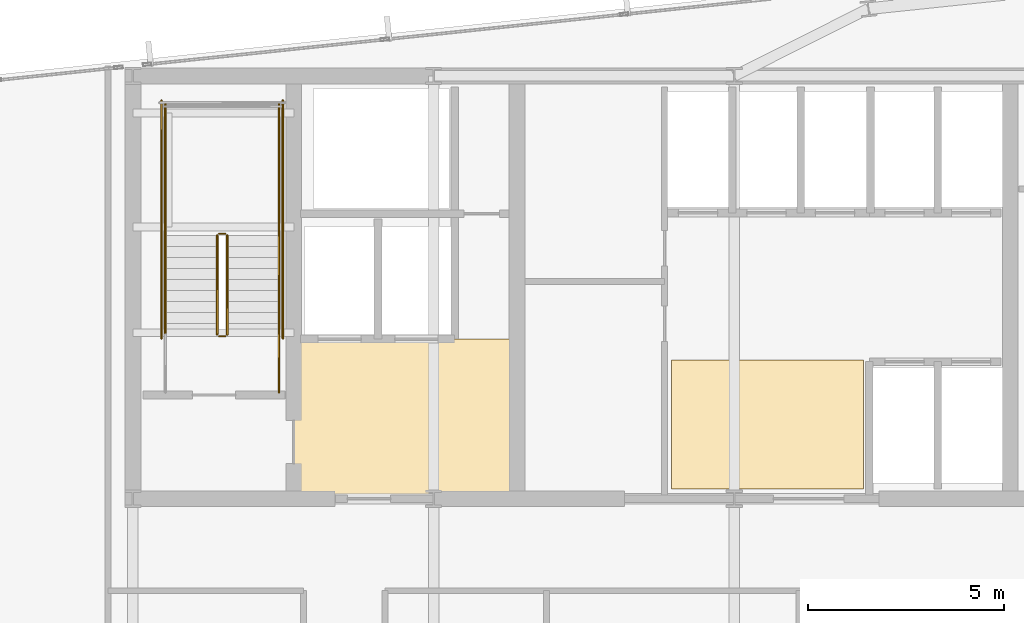
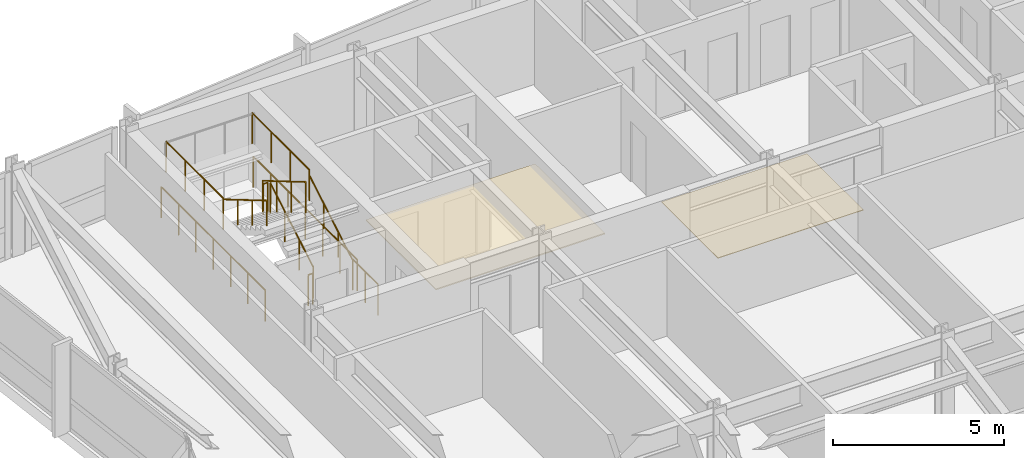
# One storey, part 24 of 26: 11 railings, 2 coverings.
"""IFC4 building model written with IfcOpenShell, lengths in metres."""

from ifc_helpers import new_model, si_unit, direction, frame, origin, origin_2d, place, context, subcontext, project, spatial, polyline, circle, outline, extrude, material, layer, layer_set, type_object, element, save


model = new_model("IFC4")

# Units and contexts
model_context = context("Model", 3, precision=1e-05, world=origin(), true_north=direction((0.0, 1.0)))
body_context = subcontext(model_context, "Body", "Model", "MODEL_VIEW")
ifc_project = project(units=[si_unit("LENGTHUNIT", "METRE"), si_unit("AREAUNIT", "SQUARE_METRE"), si_unit("VOLUMEUNIT", "CUBIC_METRE"), si_unit("PLANEANGLEUNIT", "RADIAN"), si_unit("MASSUNIT", "GRAM", prefix="KILO")], contexts=[model_context])

# Site, building, storey
site_placement = place(None, origin())
site = spatial("IfcSite", under=ifc_project, at=site_placement, CompositionType="ELEMENT")
building_placement = place(site_placement, origin())
building = spatial("IfcBuilding", under=site, at=building_placement, Name="Yelkora Congress Tower", CompositionType="ELEMENT")
storey_placement = place(building_placement, frame((0.0, 0.0, 204.5)))
storey = spatial("IfcBuildingStorey", under=building, at=storey_placement, Name="L56", CompositionType="ELEMENT", Elevation=204.5)

# Coverings
ifc_material_1 = material(Name="Perforated mineral-fibre acoustic ceiling", Category="gypsum")
ifc_layer_1 = layer(ifc_material_1, 0.0400390625)
ifc_layer_set_1 = layer_set([ifc_layer_1], Name="Perforated mineral-fibre acoustic ceiling")
covering_type_1 = type_object("IfcCoveringType", Name="COV-CEIL-ACOUSTIC-40", PredefinedType="CEILING", material=ifc_layer_set_1)
covering_1_placement = place(storey_placement, frame((0.0, 0.0, 2.39990234375)))
element("IfcCovering", 1, at=covering_1_placement, inside=storey, type_object=covering_type_1, Name="L56 Firefighting Lobby Acoustic Ceiling", PredefinedType="CEILING", context=body_context, shape_type="SweptSolid", body=[
    extrude(outline(polyline([(27.14990234375, 35.39990234375), (32.85009765625, 35.39990234375), (32.85009765625, 39.47998046875), (27.14990234375, 39.47998046875), (27.14990234375, 35.39990234375)])), origin(), (0.0, 0.0, 1.0), 0.0400390625),
])
ifc_material_2 = material(Name="Polished Anatolian grey granite tile", Category="masonry")
ifc_layer_2 = layer(ifc_material_2, 0.02001953125)
ifc_layer_set_2 = layer_set([ifc_layer_2], Name="Polished Anatolian grey granite tile")
covering_type_2 = type_object("IfcCoveringType", Name="COV-FLOOR-GRANITE-20", PredefinedType="FLOORING", material=ifc_layer_set_2)
covering_2_placement = place(storey_placement, origin())
element("IfcCovering", 2, at=covering_2_placement, inside=storey, type_object=covering_type_2, Name="L56 Lift Lobby Granite Flooring", PredefinedType="FLOORING", context=body_context, shape_type="SweptSolid", body=[
    extrude(outline(polyline([(36.800048828125, 35.64990234375), (41.699951171875, 35.64990234375), (41.699951171875, 38.949951171875), (36.800048828125, 38.949951171875), (36.800048828125, 35.64990234375)])), origin(), (0.0, 0.0, 1.0), 0.02001953125),
])

# Railings
ifc_material_3 = material(Name="Painted galvanised steel stair well guard with vertical infill", Category="steel")
ifc_layer_3 = layer(ifc_material_3, 0.06005859375)
ifc_layer_set_3 = layer_set([ifc_layer_3], Name="Painted galvanised steel stair well guard with vertical infill")
railing_type_1 = type_object("IfcRailingType", Name="RAIL-STAIR-GUARD-1120", PredefinedType="GUARDRAIL", material=ifc_layer_set_3)
railing_1_placement = place(storey_placement, frame((25.449951171875, 39.60009765625, 0.1650390625)))
element("IfcRailing", 3, at=railing_1_placement, inside=storey, type_object=railing_type_1, Name="ST-01 L56 Stair Well Guardrail 1", PredefinedType="GUARDRAIL", context=body_context, shape_type="SweptSolid", body=[
    extrude(circle(Radius=0.02392578125, at=origin_2d()), frame((0.0, 0.0, 1.09619140625), z_axis=(0.0, 0.861560626758, 0.507654692109), x_axis=(-1.0, 0.0, 0.0)), (0.0, 0.0, 1.0), 2.925048828125),
    extrude(circle(Radius=0.02099609375, at=origin_2d()), origin(), (0.0, 0.0, 1.0), 1.072021484375),
    extrude(circle(Radius=0.02099609375, at=origin_2d()), frame((0.0, 0.840087890625, 0.494873046875)), (0.0, 0.0, 1.0), 1.072021484375),
    extrude(circle(Radius=0.02099609375, at=origin_2d()), frame((0.0, 1.679931640625, 0.989990234375)), (0.0, 0.0, 1.0), 1.072021484375),
    extrude(circle(Radius=0.02099609375, at=origin_2d()), frame((0.0, 2.52001953125, 1.48486328125)), (0.0, 0.0, 1.0), 1.072021484375),
])
railing_2_placement = place(storey_placement, frame((25.39990234375, 42.169921875, 1.64990234375)))
element("IfcRailing", 4, at=railing_2_placement, inside=storey, type_object=railing_type_1, Name="ST-01 L56 Stair Well Guardrail 2", PredefinedType="GUARDRAIL", context=body_context, shape_type="SweptSolid", body=[
    extrude(circle(Radius=0.02392578125, at=origin_2d()), frame((0.0, 0.0, 1.09619140625), z_axis=(-1.0, 0.0, 0.0), x_axis=(0.0, -1.0, 0.0)), (0.0, 0.0, 1.0), 0.159912109375),
    extrude(circle(Radius=0.02099609375, at=origin_2d()), origin(), (0.0, 0.0, 1.0), 1.072021484375),
    extrude(circle(Radius=0.02099609375, at=origin_2d()), frame((-0.159912109375, 0.0, 0.0)), (0.0, 0.0, 1.0), 1.072021484375),
])
for number, where, name in (
    (5, (26.77001953125, 42.1201171875, 1.64990234375), "ST-01 L56 Stair Well Guardrail 3"),
    (6, (23.8701171875, 42.1201171875, 1.64990234375), "ST-01 L56 Stair Well Guardrail 4"),
):
    element("IfcRailing", number, at=place(storey_placement, frame(where)), inside=storey, type_object=railing_type_1, Name=name, PredefinedType="GUARDRAIL", context=body_context, shape_type="SweptSolid", body=[
        extrude(circle(Radius=0.02392578125, at=origin_2d()), frame((0.0, 0.0, 1.09619140625), z_axis=(0.0, 1.0, 0.0), x_axis=(-1.0, 0.0, 0.0)), (0.0, 0.0, 1.0), 3.349853515625),
        extrude(circle(Radius=0.02099609375, at=origin_2d()), origin(), (0.0, 0.0, 1.0), 1.072021484375),
        extrude(circle(Radius=0.02099609375, at=origin_2d()), frame((0.0, 1.11669921875, 0.0)), (0.0, 0.0, 1.0), 1.072021484375),
        extrude(circle(Radius=0.02099609375, at=origin_2d()), frame((0.0, 2.233154296875, 0.0)), (0.0, 0.0, 1.0), 1.072021484375),
        extrude(circle(Radius=0.02099609375, at=origin_2d()), frame((0.0, 3.349853515625, 0.0)), (0.0, 0.0, 1.0), 1.072021484375),
    ])
railing_3_placement = place(storey_placement, frame((25.18994140625, 42.1201171875, 1.81494140625)))
element("IfcRailing", 7, at=railing_3_placement, inside=storey, type_object=railing_type_1, Name="ST-01 L56 Stair Well Guardrail 6", PredefinedType="GUARDRAIL", context=body_context, shape_type="SweptSolid", body=[
    extrude(circle(Radius=0.02392578125, at=origin_2d()), frame((0.0, 0.0, 1.09619140625), z_axis=(0.0, -0.86152411907, 0.507716645641), x_axis=(1.0, 0.0, 0.0)), (0.0, 0.0, 1.0), 2.925048828125),
    extrude(circle(Radius=0.02099609375, at=origin_2d()), origin(), (0.0, 0.0, 1.0), 1.072021484375),
    extrude(circle(Radius=0.02099609375, at=origin_2d()), frame((0.0, -0.840087890625, 0.4951171875)), (0.0, 0.0, 1.0), 1.072021484375),
    extrude(circle(Radius=0.02099609375, at=origin_2d()), frame((0.0, -1.679931640625, 0.989990234375)), (0.0, 0.0, 1.0), 1.072021484375),
    extrude(circle(Radius=0.02099609375, at=origin_2d()), frame((0.0, -2.52001953125, 1.485107421875)), (0.0, 0.0, 1.0), 1.072021484375),
])
railing_4_placement = place(storey_placement, frame((25.39990234375, 39.550048828125, 0.0)))
element("IfcRailing", 8, at=railing_4_placement, inside=storey, type_object=railing_type_1, Name="ST-01 L56 Stair Well Guardrail 7", PredefinedType="GUARDRAIL", context=body_context, shape_type="SweptSolid", body=[
    extrude(circle(Radius=0.02392578125, at=origin_2d()), frame((0.0, 0.0, 1.09619140625), z_axis=(-1.0, 0.0, 0.0), x_axis=(0.0, -1.0, 0.0)), (0.0, 0.0, 1.0), 0.159912109375),
    extrude(circle(Radius=0.02099609375, at=origin_2d()), origin(), (0.0, 0.0, 1.0), 1.072021484375),
    extrude(circle(Radius=0.02099609375, at=origin_2d()), frame((-0.159912109375, 0.0, 0.0)), (0.0, 0.0, 1.0), 1.072021484375),
])
railing_5_placement = place(storey_placement, frame((26.77001953125, 38.1201171875, 0.0)))
element("IfcRailing", 9, at=railing_5_placement, inside=storey, type_object=railing_type_1, Name="ST-01 L56 Stair Well Guardrail 8", PredefinedType="GUARDRAIL", context=body_context, shape_type="SweptSolid", body=[
    extrude(circle(Radius=0.02392578125, at=origin_2d()), frame((0.0, 0.0, 1.09619140625), z_axis=(0.0, 1.0, 0.0), x_axis=(-1.0, 0.0, 0.0)), (0.0, 0.0, 1.0), 1.47998046875),
    extrude(circle(Radius=0.02099609375, at=origin_2d()), origin(), (0.0, 0.0, 1.0), 1.072021484375),
    extrude(circle(Radius=0.02099609375, at=origin_2d()), frame((0.0, 0.739990234375, 0.0)), (0.0, 0.0, 1.0), 1.072021484375),
    extrude(circle(Radius=0.02099609375, at=origin_2d()), frame((0.0, 1.47998046875, 0.0)), (0.0, 0.0, 1.0), 1.072021484375),
])
for number, where, name in (
    (10, (26.8701171875, 39.5, 0.0), "ST-01 L56 Stair Well Guardrail 10"),
    (11, (23.77001953125, 39.5, 0.0), "ST-01 L56 Stair Well Guardrail 11"),
):
    element("IfcRailing", number, at=place(storey_placement, frame(where)), inside=storey, type_object=railing_type_1, Name=name, PredefinedType="GUARDRAIL", context=body_context, shape_type="SweptSolid", body=[
        extrude(circle(Radius=0.02392578125, at=origin_2d()), frame((0.0, 0.0, 1.09619140625), z_axis=(0.0, 1.0, 0.0), x_axis=(-1.0, 0.0, 0.0)), (0.0, 0.0, 1.0), 6.070068359375),
        extrude(circle(Radius=0.02099609375, at=origin_2d()), origin(), (0.0, 0.0, 1.0), 1.072021484375),
        extrude(circle(Radius=0.02099609375, at=origin_2d()), frame((0.0, 1.01171875, 0.0)), (0.0, 0.0, 1.0), 1.072021484375),
        extrude(circle(Radius=0.02099609375, at=origin_2d()), frame((0.0, 2.0234375, 0.0)), (0.0, 0.0, 1.0), 1.072021484375),
        extrude(circle(Radius=0.02099609375, at=origin_2d()), frame((0.0, 3.03515625, 0.0)), (0.0, 0.0, 1.0), 1.072021484375),
        extrude(circle(Radius=0.02099609375, at=origin_2d()), frame((0.0, 4.046630859375, 0.0)), (0.0, 0.0, 1.0), 1.072021484375),
        extrude(circle(Radius=0.02099609375, at=origin_2d()), frame((0.0, 5.058349609375, 0.0)), (0.0, 0.0, 1.0), 1.072021484375),
        extrude(circle(Radius=0.02099609375, at=origin_2d()), frame((0.0, 6.070068359375, 0.0)), (0.0, 0.0, 1.0), 1.072021484375),
    ])
ifc_material_4 = material(Name="Brushed stainless steel tubular handrail", Category="steel")
ifc_layer_4 = layer(ifc_material_4, 0.050048828125)
ifc_layer_set_4 = layer_set([ifc_layer_4], Name="Brushed stainless steel tubular handrail")
railing_type_2 = type_object("IfcRailingType", Name="RAIL-STAIR-HAND-920", PredefinedType="HANDRAIL", material=ifc_layer_set_4)
railing_6_placement = place(storey_placement, frame((26.77001953125, 39.60009765625, 0.1650390625)))
element("IfcRailing", 12, at=railing_6_placement, inside=storey, type_object=railing_type_2, Name="ST-01 L56 Pitch Handrail 1", PredefinedType="HANDRAIL", context=body_context, shape_type="SweptSolid", body=[
    extrude(circle(Radius=0.02392578125, at=origin_2d()), frame((0.0, 0.0, 0.89599609375), z_axis=(0.0, 0.861560626758, 0.507654692109), x_axis=(-1.0, 0.0, 0.0)), (0.0, 0.0, 1.0), 2.925048828125),
    extrude(circle(Radius=0.02099609375, at=origin_2d()), origin(), (0.0, 0.0, 1.0), 0.871826171875),
    extrude(circle(Radius=0.02099609375, at=origin_2d()), frame((0.0, 0.840087890625, 0.494873046875)), (0.0, 0.0, 1.0), 0.871826171875),
    extrude(circle(Radius=0.02099609375, at=origin_2d()), frame((0.0, 1.679931640625, 0.989990234375)), (0.0, 0.0, 1.0), 0.871826171875),
    extrude(circle(Radius=0.02099609375, at=origin_2d()), frame((0.0, 2.52001953125, 1.48486328125)), (0.0, 0.0, 1.0), 0.871826171875),
])
railing_7_placement = place(storey_placement, frame((23.8701171875, 42.1201171875, 1.81494140625)))
element("IfcRailing", 13, at=railing_7_placement, inside=storey, type_object=railing_type_2, Name="ST-01 L56 Pitch Handrail 2", PredefinedType="HANDRAIL", context=body_context, shape_type="SweptSolid", body=[
    extrude(circle(Radius=0.02392578125, at=origin_2d()), frame((0.0, 0.0, 0.89599609375), z_axis=(0.0, -0.86152411907, 0.507716645641), x_axis=(1.0, 0.0, 0.0)), (0.0, 0.0, 1.0), 2.925048828125),
    extrude(circle(Radius=0.02099609375, at=origin_2d()), origin(), (0.0, 0.0, 1.0), 0.871826171875),
    extrude(circle(Radius=0.02099609375, at=origin_2d()), frame((0.0, -0.840087890625, 0.4951171875)), (0.0, 0.0, 1.0), 0.871826171875),
    extrude(circle(Radius=0.02099609375, at=origin_2d()), frame((0.0, -1.679931640625, 0.989990234375)), (0.0, 0.0, 1.0), 0.871826171875),
    extrude(circle(Radius=0.02099609375, at=origin_2d()), frame((0.0, -2.52001953125, 1.485107421875)), (0.0, 0.0, 1.0), 0.871826171875),
])

save(model, "model.ifc")
